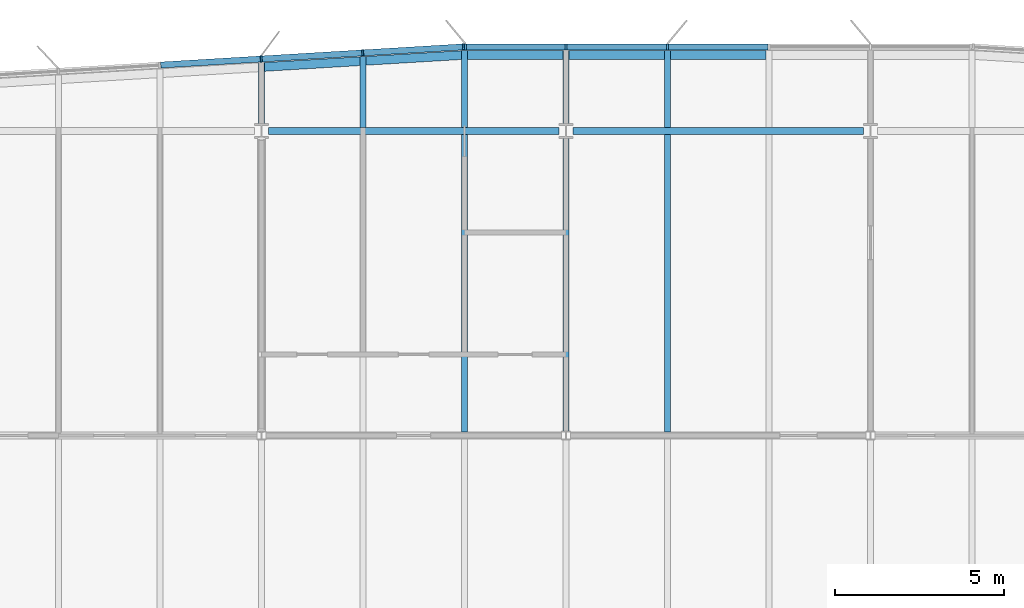
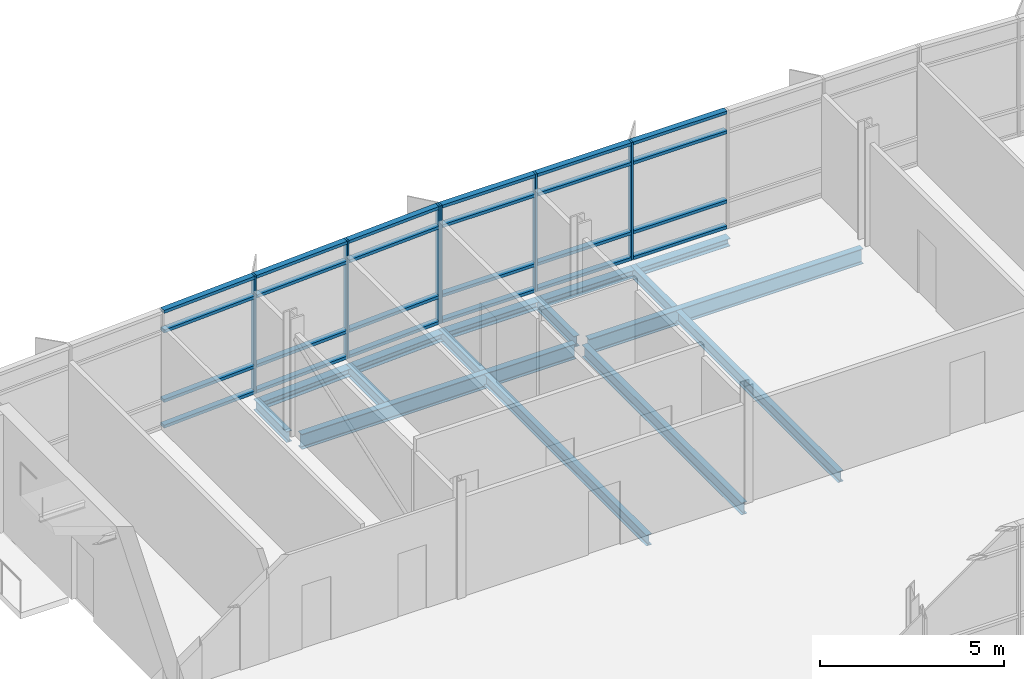
# One storey, part 5 of 20: 30 members, 15 beams, 2 elements without a shape of their own.
"""IFC4 building model written with IfcOpenShell, lengths in metres."""

from ifc_helpers import new_model, si_unit, direction, frame, origin, origin_2d, place, context, subcontext, project, spatial, rectangle, i_section, extrude, material, material_profile, profile_set, type_object, element, aggregate, save


model = new_model("IFC4")

# Units and contexts
model_context = context("Model", 3, precision=1e-05, world=origin(), true_north=direction((0.0, 1.0)))
body_context = subcontext(model_context, "Body", "Model", "MODEL_VIEW")
ifc_project = project(units=[si_unit("LENGTHUNIT", "METRE"), si_unit("AREAUNIT", "SQUARE_METRE"), si_unit("VOLUMEUNIT", "CUBIC_METRE"), si_unit("PLANEANGLEUNIT", "RADIAN"), si_unit("MASSUNIT", "GRAM", prefix="KILO")], contexts=[model_context])

# Site, building, storey
site_placement = place(None, origin())
site = spatial("IfcSite", under=ifc_project, at=site_placement, CompositionType="ELEMENT")
building_placement = place(site_placement, origin())
building = spatial("IfcBuilding", under=site, at=building_placement, Name="Azimuth Sports and Learning Centre", CompositionType="ELEMENT")
storey_placement = place(building_placement, frame((0.0, 0.0, 71.39990234375)))
storey = spatial("IfcBuildingStorey", under=building, at=storey_placement, Name="L16", CompositionType="ELEMENT", Elevation=71.39990234375)

# Beams
ifc_material_1 = material(Name="Steel S355", Category="steel")
ifc_material_profile_1 = material_profile(ifc_material_1, i_section(OverallWidth=0.179931640625, OverallDepth=0.39990234375, WebThickness=0.008544921875, FlangeThickness=0.013427734375, FilletRadius=0.02099609375, at=origin_2d()), Name="IPE 400")
ifc_profile_set_1 = profile_set([ifc_material_profile_1], Name="Steel S355")
beam_type_1 = type_object("IfcBeamType", Name="Beam IPE 400", PredefinedType="BEAM", material=ifc_profile_set_1)
beam_1_placement = place(storey_placement, frame((81.0, 108.1298828125, -0.329833984375), z_axis=(0.0, 1.0, 0.0), x_axis=(-1.0, 0.0, 0.0)))
element("IfcBeam", 1, at=beam_1_placement, inside=storey, type_object=beam_type_1, Name="Tower tie", PredefinedType="BEAM", context=body_context, shape_type="SweptSolid", body=[
    extrude(i_section(OverallWidth=0.179931640625, OverallDepth=0.39990234375, WebThickness=0.008544921875, FlangeThickness=0.013427734375, FilletRadius=0.02099609375, at=origin_2d()), origin(), (0.0, 0.0, 1.0), 8.652587890625),
])
ifc_material_2 = material(Name="Steel S355", Category="steel")
ifc_material_profile_2 = material_profile(ifc_material_2, i_section(OverallWidth=0.199951171875, OverallDepth=0.5, WebThickness=0.01025390625, FlangeThickness=0.01611328125, FilletRadius=0.02099609375, at=origin_2d()), Name="IPE 500")
ifc_profile_set_2 = profile_set([ifc_material_profile_2], Name="Steel S355")
beam_type_2 = type_object("IfcBeamType", Name="Beam IPE 500", PredefinedType="BEAM", material=ifc_profile_set_2)
for number, where, z_axis, x_axis, name in (
    (2, (72.2060546875, 117.0, -0.3798828125), (1.0, 0.0, 0.0), (0.0, 1.0, 0.0), "Tower girder L16"),
    (3, (81.2060546875, 117.0, -0.3798828125), (1.0, 0.0, 0.0), (0.0, 1.0, 0.0), "Tower girder L16"),
):
    element("IfcBeam", number, at=place(storey_placement, frame(where, z_axis=z_axis, x_axis=x_axis)), inside=storey, type_object=beam_type_2, Name=name, PredefinedType="BEAM", context=body_context, shape_type="SweptSolid", body=[
        extrude(i_section(OverallWidth=0.199951171875, OverallDepth=0.5, WebThickness=0.01025390625, FlangeThickness=0.01611328125, FilletRadius=0.02099609375, at=origin_2d()), origin(), (0.0, 0.0, 1.0), 8.587890625),
    ])
ifc_material_3 = material(Name="Steel S355", Category="steel")
ifc_material_profile_3 = material_profile(ifc_material_3, i_section(OverallWidth=0.169921875, OverallDepth=0.360107421875, WebThickness=0.008056640625, FlangeThickness=0.0126953125, FilletRadius=0.01806640625, at=origin_2d()), Name="IPE 360")
ifc_profile_set_3 = profile_set([ifc_material_profile_3], Name="Steel S355")
beam_type_3 = type_object("IfcBeamType", Name="Cantilever stub IPE 360", PredefinedType="JOIST", material=ifc_profile_set_3)
beam_2_placement = place(storey_placement, frame((72.0, 117.217529296875, -0.309814453125), z_axis=(0.0, 1.0, 0.0), x_axis=(-1.0, 0.0, 0.0)))
element("IfcBeam", 4, at=beam_2_placement, inside=storey, type_object=beam_type_3, Name="Tower cantilever stub", PredefinedType="JOIST", context=body_context, shape_type="SweptSolid", body=[
    extrude(i_section(OverallWidth=0.169921875, OverallDepth=0.360107421875, WebThickness=0.008056640625, FlangeThickness=0.0126953125, FilletRadius=0.01806640625, at=origin_2d()), origin(), (0.0, 0.0, 1.0), 1.802490234375),
])
beam_3_placement = place(storey_placement, frame((75.0, 117.10009765625, -0.309814453125), z_axis=(0.0, 1.0, 0.0), x_axis=(-1.0, 0.0, 0.0)))
element("IfcBeam", 5, at=beam_3_placement, inside=storey, type_object=beam_type_3, Name="Tower cantilever stub", PredefinedType="JOIST", context=body_context, shape_type="SweptSolid", body=[
    extrude(i_section(OverallWidth=0.169921875, OverallDepth=0.360107421875, WebThickness=0.008056640625, FlangeThickness=0.0126953125, FilletRadius=0.01806640625, at=origin_2d()), origin(), (0.0, 0.0, 1.0), 2.099853515625),
])
beam_4_placement = place(storey_placement, frame((78.0, 117.10009765625, -0.309814453125), z_axis=(0.0, 1.0, 0.0), x_axis=(-1.0, 0.0, 0.0)))
element("IfcBeam", 6, at=beam_4_placement, inside=storey, type_object=beam_type_3, Name="Tower cantilever stub", PredefinedType="JOIST", context=body_context, shape_type="SweptSolid", body=[
    extrude(i_section(OverallWidth=0.169921875, OverallDepth=0.360107421875, WebThickness=0.008056640625, FlangeThickness=0.0126953125, FilletRadius=0.01806640625, at=origin_2d()), origin(), (0.0, 0.0, 1.0), 2.27978515625),
])
beam_5_placement = place(storey_placement, frame((81.0, 117.217529296875, -0.309814453125), z_axis=(0.0, 1.0, 0.0), x_axis=(-1.0, 0.0, 0.0)))
element("IfcBeam", 7, at=beam_5_placement, inside=storey, type_object=beam_type_3, Name="Tower cantilever stub", PredefinedType="JOIST", context=body_context, shape_type="SweptSolid", body=[
    extrude(i_section(OverallWidth=0.169921875, OverallDepth=0.360107421875, WebThickness=0.008056640625, FlangeThickness=0.0126953125, FilletRadius=0.01806640625, at=origin_2d()), origin(), (0.0, 0.0, 1.0), 2.162353515625),
])
beam_6_placement = place(storey_placement, frame((84.0, 117.10009765625, -0.309814453125), z_axis=(0.0, 1.0, 0.0), x_axis=(-1.0, 0.0, 0.0)))
element("IfcBeam", 8, at=beam_6_placement, inside=storey, type_object=beam_type_3, Name="Tower cantilever stub", PredefinedType="JOIST", context=body_context, shape_type="SweptSolid", body=[
    extrude(i_section(OverallWidth=0.169921875, OverallDepth=0.360107421875, WebThickness=0.008056640625, FlangeThickness=0.0126953125, FilletRadius=0.01806640625, at=origin_2d()), origin(), (0.0, 0.0, 1.0), 2.27978515625),
])
ifc_material_4 = material(Name="Steel S355", Category="steel")
ifc_material_profile_4 = material_profile(ifc_material_4, i_section(OverallWidth=0.260009765625, OverallDepth=0.25, WebThickness=0.007568359375, FlangeThickness=0.012451171875, FilletRadius=0.02392578125, at=origin_2d()), Name="HEA 260")
ifc_profile_set_4 = profile_set([ifc_material_profile_4], Name="Steel S355")
beam_type_4 = type_object("IfcBeamType", Name="Edge beam HEA 260", PredefinedType="SPANDREL", material=ifc_profile_set_4)
for number, where, z_axis, x_axis, name in (
    (9, (72.0849609375, 118.89501953125, -0.2548828125), (0.998202373506, 0.059933475842, 0.0), (-0.059933475842, 0.998202373506, 0.0), "Tower edge beam"),
    (10, (75.0849609375, 119.0751953125, -0.2548828125), (0.998207521518, 0.059847673176, 0.0), (-0.059847673176, 0.998207521518, 0.0), "Tower edge beam"),
):
    element("IfcBeam", number, at=place(storey_placement, frame(where, z_axis=z_axis, x_axis=x_axis)), inside=storey, type_object=beam_type_4, Name=name, PredefinedType="SPANDREL", context=body_context, shape_type="SweptSolid", body=[
        extrude(i_section(OverallWidth=0.260009765625, OverallDepth=0.25, WebThickness=0.007568359375, FlangeThickness=0.012451171875, FilletRadius=0.02392578125, at=origin_2d()), origin(), (0.0, 0.0, 1.0), 2.835205078125),
    ])
for number, where, z_axis, x_axis, name in (
    (11, (78.0849609375, 119.25, -0.2548828125), (1.0, 0.0, 0.0), (0.0, 1.0, 0.0), "Tower edge beam"),
    (12, (81.0849609375, 119.25, -0.2548828125), (1.0, 0.0, 0.0), (0.0, 1.0, 0.0), "Tower edge beam"),
    (13, (84.0849609375, 119.25, -0.2548828125), (1.0, 0.0, 0.0), (0.0, 1.0, 0.0), "Tower edge beam"),
):
    element("IfcBeam", number, at=place(storey_placement, frame(where, z_axis=z_axis, x_axis=x_axis)), inside=storey, type_object=beam_type_4, Name=name, PredefinedType="SPANDREL", context=body_context, shape_type="SweptSolid", body=[
        extrude(i_section(OverallWidth=0.260009765625, OverallDepth=0.25, WebThickness=0.007568359375, FlangeThickness=0.012451171875, FilletRadius=0.02392578125, at=origin_2d()), origin(), (0.0, 0.0, 1.0), 2.830078125),
    ])
ifc_material_5 = material(Name="Steel S355", Category="steel")
ifc_material_profile_5 = material_profile(ifc_material_5, i_section(OverallWidth=0.169921875, OverallDepth=0.360107421875, WebThickness=0.008056640625, FlangeThickness=0.0126953125, FilletRadius=0.01806640625, at=origin_2d()), Name="IPE 360")
ifc_profile_set_5 = profile_set([ifc_material_profile_5], Name="Steel S355")
beam_type_5 = type_object("IfcBeamType", Name="Joist IPE 360", PredefinedType="JOIST", material=ifc_profile_set_5)
for number, where, z_axis, x_axis, name in (
    (14, (78.0, 108.10009765625, -0.309814453125), (0.0, 1.0, 0.0), (-1.0, 0.0, 0.0), "Tower joist"),
    (15, (84.0, 108.10009765625, -0.309814453125), (0.0, 1.0, 0.0), (-1.0, 0.0, 0.0), "Tower joist"),
):
    element("IfcBeam", number, at=place(storey_placement, frame(where, z_axis=z_axis, x_axis=x_axis)), inside=storey, type_object=beam_type_5, Name=name, PredefinedType="JOIST", context=body_context, shape_type="SweptSolid", body=[
        extrude(i_section(OverallWidth=0.169921875, OverallDepth=0.360107421875, WebThickness=0.008056640625, FlangeThickness=0.0126953125, FilletRadius=0.01806640625, at=origin_2d()), origin(), (0.0, 0.0, 1.0), 8.7998046875),
    ])

# Curtain wall, members
ifc_material_6 = material(Name="Aluminium and glass", Category="aluminium")
curtain_wall_type = type_object("IfcCurtainWallType", Name="Curtain wall tower north 180", PredefinedType="NOTDEFINED", material=ifc_material_6)
curtain_wall_1_placement = place(storey_placement, origin())
curtain_wall_1 = element("IfcCurtainWall", 16, at=curtain_wall_1_placement, inside=storey, type_object=curtain_wall_type, Name="Curtain wall CW16-010", PredefinedType="NOTDEFINED")
ifc_material_7 = material(Name="Aluminium", Category="aluminium")
ifc_material_profile_6 = material_profile(ifc_material_7, rectangle(XDim=0.179931640625, YDim=0.06005859375, at=origin_2d()), Name="Mullion 60x180")
ifc_profile_set_6 = profile_set([ifc_material_profile_6], Name="Aluminium")
member_type_1 = type_object("IfcMemberType", Name="Mullion 60x180", PredefinedType="MULLION", material=ifc_profile_set_6)
member_1_placement = place(storey_placement, frame((84.0, 119.489990234375, 0.0), z_axis=(0.0, 0.0, 1.0), x_axis=(0.0, -1.0, 0.0)))
member_1 = element("IfcMember", 17, at=member_1_placement, type_object=member_type_1, Name="CW16-010 mullion 4", PredefinedType="MULLION", context=body_context, shape_type="SweptSolid", body=[
    extrude(rectangle(XDim=0.179931640625, YDim=0.06005859375, at=origin_2d()), origin(), (0.0, 0.0, 1.0), 3.900146484375),
])
member_2_placement = place(storey_placement, frame((81.0, 119.489990234375, 0.0), z_axis=(0.0, 0.0, 1.0), x_axis=(0.0, -1.0, 0.0)))
member_2 = element("IfcMember", 18, at=member_2_placement, type_object=member_type_1, Name="CW16-010 mullion 5", PredefinedType="MULLION", context=body_context, shape_type="SweptSolid", body=[
    extrude(rectangle(XDim=0.179931640625, YDim=0.06005859375, at=origin_2d()), origin(), (0.0, 0.0, 1.0), 3.900146484375),
])
member_3_placement = place(storey_placement, frame((78.030029296875, 119.489990234375, 0.0), z_axis=(0.0, 0.0, 1.0), x_axis=(0.0, -1.0, 0.0)))
member_3 = element("IfcMember", 19, at=member_3_placement, type_object=member_type_1, Name="CW16-010 mullion 6", PredefinedType="MULLION", context=body_context, shape_type="SweptSolid", body=[
    extrude(rectangle(XDim=0.179931640625, YDim=0.06005859375, at=origin_2d()), origin(), (0.0, 0.0, 1.0), 3.900146484375),
])

curtain_wall_2_placement = place(storey_placement, origin())
curtain_wall_2 = element("IfcCurtainWall", 20, at=curtain_wall_2_placement, inside=storey, type_object=curtain_wall_type, Name="Curtain wall CW16-011", PredefinedType="NOTDEFINED")
member_4_placement = place(storey_placement, frame((77.969970703125, 119.48828125, 0.0), z_axis=(0.0, 0.0, 1.0), x_axis=(0.059891991812, -0.998204863401, 0.0)))
member_4 = element("IfcMember", 21, at=member_4_placement, type_object=member_type_1, Name="CW16-011 mullion 1", PredefinedType="MULLION", context=body_context, shape_type="SweptSolid", body=[
    extrude(rectangle(XDim=0.179931640625, YDim=0.06005859375, at=origin_2d()), origin(), (0.0, 0.0, 1.0), 3.900146484375),
])
member_5_placement = place(storey_placement, frame((74.99462890625, 119.309814453125, 0.0), z_axis=(0.0, 0.0, 1.0), x_axis=(0.059891991812, -0.998204863401, 0.0)))
member_5 = element("IfcMember", 22, at=member_5_placement, type_object=member_type_1, Name="CW16-011 mullion 2", PredefinedType="MULLION", context=body_context, shape_type="SweptSolid", body=[
    extrude(rectangle(XDim=0.179931640625, YDim=0.06005859375, at=origin_2d()), origin(), (0.0, 0.0, 1.0), 3.900146484375),
])
member_6_placement = place(storey_placement, frame((71.99462890625, 119.1298828125, 0.0), z_axis=(0.0, 0.0, 1.0), x_axis=(0.059891991812, -0.998204863401, 0.0)))
member_6 = element("IfcMember", 23, at=member_6_placement, type_object=member_type_1, Name="CW16-011 mullion 3", PredefinedType="MULLION", context=body_context, shape_type="SweptSolid", body=[
    extrude(rectangle(XDim=0.179931640625, YDim=0.06005859375, at=origin_2d()), origin(), (0.0, 0.0, 1.0), 3.900146484375),
])

# Member
ifc_material_8 = material(Name="Aluminium", Category="aluminium")
ifc_material_profile_7 = material_profile(ifc_material_8, rectangle(XDim=0.179931640625, YDim=0.10009765625, at=origin_2d()), Name="Transom 100x180")
ifc_profile_set_7 = profile_set([ifc_material_profile_7], Name="Aluminium")
member_type_2 = type_object("IfcMemberType", Name="Transom 100x180", PredefinedType="USERDEFINED", material=ifc_profile_set_7)
member_7_placement = place(storey_placement, frame((86.969970703125, 119.489990234375, 0.050048828125), z_axis=(-1.0, 0.0, 0.0), x_axis=(0.0, -1.0, 0.0)))
member_7 = element("IfcMember", 24, at=member_7_placement, type_object=member_type_2, Name="CW16-010 transom 3.1", ObjectType="TRANSOM", PredefinedType="USERDEFINED", context=body_context, shape_type="SweptSolid", body=[
    extrude(rectangle(XDim=0.179931640625, YDim=0.10009765625, at=origin_2d()), origin(), (0.0, 0.0, 1.0), 2.93994140625),
])

member_8_placement = place(storey_placement, frame((86.969970703125, 119.489990234375, 0.900146484375), z_axis=(-1.0, 0.0, 0.0), x_axis=(0.0, -1.0, 0.0)))
member_8 = element("IfcMember", 25, at=member_8_placement, type_object=member_type_2, Name="CW16-010 transom 3.2", ObjectType="TRANSOM", PredefinedType="USERDEFINED", context=body_context, shape_type="SweptSolid", body=[
    extrude(rectangle(XDim=0.179931640625, YDim=0.10009765625, at=origin_2d()), origin(), (0.0, 0.0, 1.0), 2.93994140625),
])

member_9_placement = place(storey_placement, frame((86.969970703125, 119.489990234375, 3.2001953125), z_axis=(-1.0, 0.0, 0.0), x_axis=(0.0, -1.0, 0.0)))
member_9 = element("IfcMember", 26, at=member_9_placement, type_object=member_type_2, Name="CW16-010 transom 3.3", ObjectType="TRANSOM", PredefinedType="USERDEFINED", context=body_context, shape_type="SweptSolid", body=[
    extrude(rectangle(XDim=0.179931640625, YDim=0.10009765625, at=origin_2d()), origin(), (0.0, 0.0, 1.0), 2.93994140625),
])

member_10_placement = place(storey_placement, frame((86.969970703125, 119.489990234375, 3.85009765625), z_axis=(-1.0, 0.0, 0.0), x_axis=(0.0, -1.0, 0.0)))
member_10 = element("IfcMember", 27, at=member_10_placement, type_object=member_type_2, Name="CW16-010 transom 3.4", ObjectType="TRANSOM", PredefinedType="USERDEFINED", context=body_context, shape_type="SweptSolid", body=[
    extrude(rectangle(XDim=0.179931640625, YDim=0.10009765625, at=origin_2d()), origin(), (0.0, 0.0, 1.0), 2.93994140625),
])

member_11_placement = place(storey_placement, frame((83.969970703125, 119.489990234375, 0.050048828125), z_axis=(-1.0, 0.0, 0.0), x_axis=(0.0, -1.0, 0.0)))
member_11 = element("IfcMember", 28, at=member_11_placement, type_object=member_type_2, Name="CW16-010 transom 4.1", ObjectType="TRANSOM", PredefinedType="USERDEFINED", context=body_context, shape_type="SweptSolid", body=[
    extrude(rectangle(XDim=0.179931640625, YDim=0.10009765625, at=origin_2d()), origin(), (0.0, 0.0, 1.0), 2.93994140625),
])

member_12_placement = place(storey_placement, frame((83.969970703125, 119.489990234375, 0.900146484375), z_axis=(-1.0, 0.0, 0.0), x_axis=(0.0, -1.0, 0.0)))
member_12 = element("IfcMember", 29, at=member_12_placement, type_object=member_type_2, Name="CW16-010 transom 4.2", ObjectType="TRANSOM", PredefinedType="USERDEFINED", context=body_context, shape_type="SweptSolid", body=[
    extrude(rectangle(XDim=0.179931640625, YDim=0.10009765625, at=origin_2d()), origin(), (0.0, 0.0, 1.0), 2.93994140625),
])

member_13_placement = place(storey_placement, frame((83.969970703125, 119.489990234375, 3.2001953125), z_axis=(-1.0, 0.0, 0.0), x_axis=(0.0, -1.0, 0.0)))
member_13 = element("IfcMember", 30, at=member_13_placement, type_object=member_type_2, Name="CW16-010 transom 4.3", ObjectType="TRANSOM", PredefinedType="USERDEFINED", context=body_context, shape_type="SweptSolid", body=[
    extrude(rectangle(XDim=0.179931640625, YDim=0.10009765625, at=origin_2d()), origin(), (0.0, 0.0, 1.0), 2.93994140625),
])

member_14_placement = place(storey_placement, frame((83.969970703125, 119.489990234375, 3.85009765625), z_axis=(-1.0, 0.0, 0.0), x_axis=(0.0, -1.0, 0.0)))
member_14 = element("IfcMember", 31, at=member_14_placement, type_object=member_type_2, Name="CW16-010 transom 4.4", ObjectType="TRANSOM", PredefinedType="USERDEFINED", context=body_context, shape_type="SweptSolid", body=[
    extrude(rectangle(XDim=0.179931640625, YDim=0.10009765625, at=origin_2d()), origin(), (0.0, 0.0, 1.0), 2.93994140625),
])

member_15_placement = place(storey_placement, frame((80.969970703125, 119.489990234375, 0.050048828125), z_axis=(-1.0, 0.0, 0.0), x_axis=(0.0, -1.0, 0.0)))
member_15 = element("IfcMember", 32, at=member_15_placement, type_object=member_type_2, Name="CW16-010 transom 5.1", ObjectType="TRANSOM", PredefinedType="USERDEFINED", context=body_context, shape_type="SweptSolid", body=[
    extrude(rectangle(XDim=0.179931640625, YDim=0.10009765625, at=origin_2d()), origin(), (0.0, 0.0, 1.0), 2.909912109375),
])

member_16_placement = place(storey_placement, frame((80.969970703125, 119.489990234375, 0.900146484375), z_axis=(-1.0, 0.0, 0.0), x_axis=(0.0, -1.0, 0.0)))
member_16 = element("IfcMember", 33, at=member_16_placement, type_object=member_type_2, Name="CW16-010 transom 5.2", ObjectType="TRANSOM", PredefinedType="USERDEFINED", context=body_context, shape_type="SweptSolid", body=[
    extrude(rectangle(XDim=0.179931640625, YDim=0.10009765625, at=origin_2d()), origin(), (0.0, 0.0, 1.0), 2.909912109375),
])

member_17_placement = place(storey_placement, frame((80.969970703125, 119.489990234375, 3.2001953125), z_axis=(-1.0, 0.0, 0.0), x_axis=(0.0, -1.0, 0.0)))
member_17 = element("IfcMember", 34, at=member_17_placement, type_object=member_type_2, Name="CW16-010 transom 5.3", ObjectType="TRANSOM", PredefinedType="USERDEFINED", context=body_context, shape_type="SweptSolid", body=[
    extrude(rectangle(XDim=0.179931640625, YDim=0.10009765625, at=origin_2d()), origin(), (0.0, 0.0, 1.0), 2.909912109375),
])

member_18_placement = place(storey_placement, frame((80.969970703125, 119.489990234375, 3.85009765625), z_axis=(-1.0, 0.0, 0.0), x_axis=(0.0, -1.0, 0.0)))
member_18 = element("IfcMember", 35, at=member_18_placement, type_object=member_type_2, Name="CW16-010 transom 5.4", ObjectType="TRANSOM", PredefinedType="USERDEFINED", context=body_context, shape_type="SweptSolid", body=[
    extrude(rectangle(XDim=0.179931640625, YDim=0.10009765625, at=origin_2d()), origin(), (0.0, 0.0, 1.0), 2.909912109375),
])

aggregate(curtain_wall_1, [member_1, member_2, member_3, member_7, member_8, member_9, member_10, member_11, member_12, member_13, member_14, member_15, member_16, member_17, member_18])

member_19_placement = place(storey_placement, frame((77.940185546875, 119.486572265625, 0.050048828125), z_axis=(-0.998202445979, -0.05993226878, 0.0), x_axis=(0.05993226878, -0.998202445979, 0.0)))
member_19 = element("IfcMember", 36, at=member_19_placement, type_object=member_type_2, Name="CW16-011 transom 1.1", ObjectType="TRANSOM", PredefinedType="USERDEFINED", context=body_context, shape_type="SweptSolid", body=[
    extrude(rectangle(XDim=0.179931640625, YDim=0.10009765625, at=origin_2d()), origin(), (0.0, 0.0, 1.0), 2.9208984375),
])

member_20_placement = place(storey_placement, frame((77.940185546875, 119.486572265625, 0.900146484375), z_axis=(-0.998202445979, -0.05993226878, 0.0), x_axis=(0.05993226878, -0.998202445979, 0.0)))
member_20 = element("IfcMember", 37, at=member_20_placement, type_object=member_type_2, Name="CW16-011 transom 1.2", ObjectType="TRANSOM", PredefinedType="USERDEFINED", context=body_context, shape_type="SweptSolid", body=[
    extrude(rectangle(XDim=0.179931640625, YDim=0.10009765625, at=origin_2d()), origin(), (0.0, 0.0, 1.0), 2.9208984375),
])

member_21_placement = place(storey_placement, frame((77.940185546875, 119.486572265625, 3.2001953125), z_axis=(-0.998202445979, -0.05993226878, 0.0), x_axis=(0.05993226878, -0.998202445979, 0.0)))
member_21 = element("IfcMember", 38, at=member_21_placement, type_object=member_type_2, Name="CW16-011 transom 1.3", ObjectType="TRANSOM", PredefinedType="USERDEFINED", context=body_context, shape_type="SweptSolid", body=[
    extrude(rectangle(XDim=0.179931640625, YDim=0.10009765625, at=origin_2d()), origin(), (0.0, 0.0, 1.0), 2.9208984375),
])

member_22_placement = place(storey_placement, frame((77.940185546875, 119.486572265625, 3.85009765625), z_axis=(-0.998202445979, -0.05993226878, 0.0), x_axis=(0.05993226878, -0.998202445979, 0.0)))
member_22 = element("IfcMember", 39, at=member_22_placement, type_object=member_type_2, Name="CW16-011 transom 1.4", ObjectType="TRANSOM", PredefinedType="USERDEFINED", context=body_context, shape_type="SweptSolid", body=[
    extrude(rectangle(XDim=0.179931640625, YDim=0.10009765625, at=origin_2d()), origin(), (0.0, 0.0, 1.0), 2.9208984375),
])

member_23_placement = place(storey_placement, frame((74.964599609375, 119.30810546875, 0.050048828125), z_axis=(-0.998202465912, -0.059931936792, 0.0), x_axis=(0.059931936792, -0.998202465912, 0.0)))
member_23 = element("IfcMember", 40, at=member_23_placement, type_object=member_type_2, Name="CW16-011 transom 2.1", ObjectType="TRANSOM", PredefinedType="USERDEFINED", context=body_context, shape_type="SweptSolid", body=[
    extrude(rectangle(XDim=0.179931640625, YDim=0.10009765625, at=origin_2d()), origin(), (0.0, 0.0, 1.0), 2.9453125),
])

member_24_placement = place(storey_placement, frame((74.964599609375, 119.30810546875, 0.900146484375), z_axis=(-0.998202465912, -0.059931936792, 0.0), x_axis=(0.059931936792, -0.998202465912, 0.0)))
member_24 = element("IfcMember", 41, at=member_24_placement, type_object=member_type_2, Name="CW16-011 transom 2.2", ObjectType="TRANSOM", PredefinedType="USERDEFINED", context=body_context, shape_type="SweptSolid", body=[
    extrude(rectangle(XDim=0.179931640625, YDim=0.10009765625, at=origin_2d()), origin(), (0.0, 0.0, 1.0), 2.9453125),
])

member_25_placement = place(storey_placement, frame((74.964599609375, 119.30810546875, 3.2001953125), z_axis=(-0.998202465912, -0.059931936792, 0.0), x_axis=(0.059931936792, -0.998202465912, 0.0)))
member_25 = element("IfcMember", 42, at=member_25_placement, type_object=member_type_2, Name="CW16-011 transom 2.3", ObjectType="TRANSOM", PredefinedType="USERDEFINED", context=body_context, shape_type="SweptSolid", body=[
    extrude(rectangle(XDim=0.179931640625, YDim=0.10009765625, at=origin_2d()), origin(), (0.0, 0.0, 1.0), 2.9453125),
])

member_26_placement = place(storey_placement, frame((74.964599609375, 119.30810546875, 3.85009765625), z_axis=(-0.998202465912, -0.059931936792, 0.0), x_axis=(0.059931936792, -0.998202465912, 0.0)))
member_26 = element("IfcMember", 43, at=member_26_placement, type_object=member_type_2, Name="CW16-011 transom 2.4", ObjectType="TRANSOM", PredefinedType="USERDEFINED", context=body_context, shape_type="SweptSolid", body=[
    extrude(rectangle(XDim=0.179931640625, YDim=0.10009765625, at=origin_2d()), origin(), (0.0, 0.0, 1.0), 2.9453125),
])

member_27_placement = place(storey_placement, frame((71.964599609375, 119.1279296875, 0.050048828125), z_axis=(-0.998207421552, -0.059849340505, 0.0), x_axis=(0.059849340505, -0.998207421552, 0.0)))
member_27 = element("IfcMember", 44, at=member_27_placement, type_object=member_type_2, Name="CW16-011 transom 3.1", ObjectType="TRANSOM", PredefinedType="USERDEFINED", context=body_context, shape_type="SweptSolid", body=[
    extrude(rectangle(XDim=0.179931640625, YDim=0.10009765625, at=origin_2d()), origin(), (0.0, 0.0, 1.0), 2.9453125),
])

member_28_placement = place(storey_placement, frame((71.964599609375, 119.1279296875, 0.900146484375), z_axis=(-0.998207421552, -0.059849340505, 0.0), x_axis=(0.059849340505, -0.998207421552, 0.0)))
member_28 = element("IfcMember", 45, at=member_28_placement, type_object=member_type_2, Name="CW16-011 transom 3.2", ObjectType="TRANSOM", PredefinedType="USERDEFINED", context=body_context, shape_type="SweptSolid", body=[
    extrude(rectangle(XDim=0.179931640625, YDim=0.10009765625, at=origin_2d()), origin(), (0.0, 0.0, 1.0), 2.9453125),
])

member_29_placement = place(storey_placement, frame((71.964599609375, 119.1279296875, 3.2001953125), z_axis=(-0.998207421552, -0.059849340505, 0.0), x_axis=(0.059849340505, -0.998207421552, 0.0)))
member_29 = element("IfcMember", 46, at=member_29_placement, type_object=member_type_2, Name="CW16-011 transom 3.3", ObjectType="TRANSOM", PredefinedType="USERDEFINED", context=body_context, shape_type="SweptSolid", body=[
    extrude(rectangle(XDim=0.179931640625, YDim=0.10009765625, at=origin_2d()), origin(), (0.0, 0.0, 1.0), 2.9453125),
])

member_30_placement = place(storey_placement, frame((71.964599609375, 119.1279296875, 3.85009765625), z_axis=(-0.998207421552, -0.059849340505, 0.0), x_axis=(0.059849340505, -0.998207421552, 0.0)))
member_30 = element("IfcMember", 47, at=member_30_placement, type_object=member_type_2, Name="CW16-011 transom 3.4", ObjectType="TRANSOM", PredefinedType="USERDEFINED", context=body_context, shape_type="SweptSolid", body=[
    extrude(rectangle(XDim=0.179931640625, YDim=0.10009765625, at=origin_2d()), origin(), (0.0, 0.0, 1.0), 2.9453125),
])

aggregate(curtain_wall_2, [member_4, member_5, member_6, member_19, member_20, member_21, member_22, member_23, member_24, member_25, member_26, member_27, member_28, member_29, member_30])

save(model, "model.ifc")
